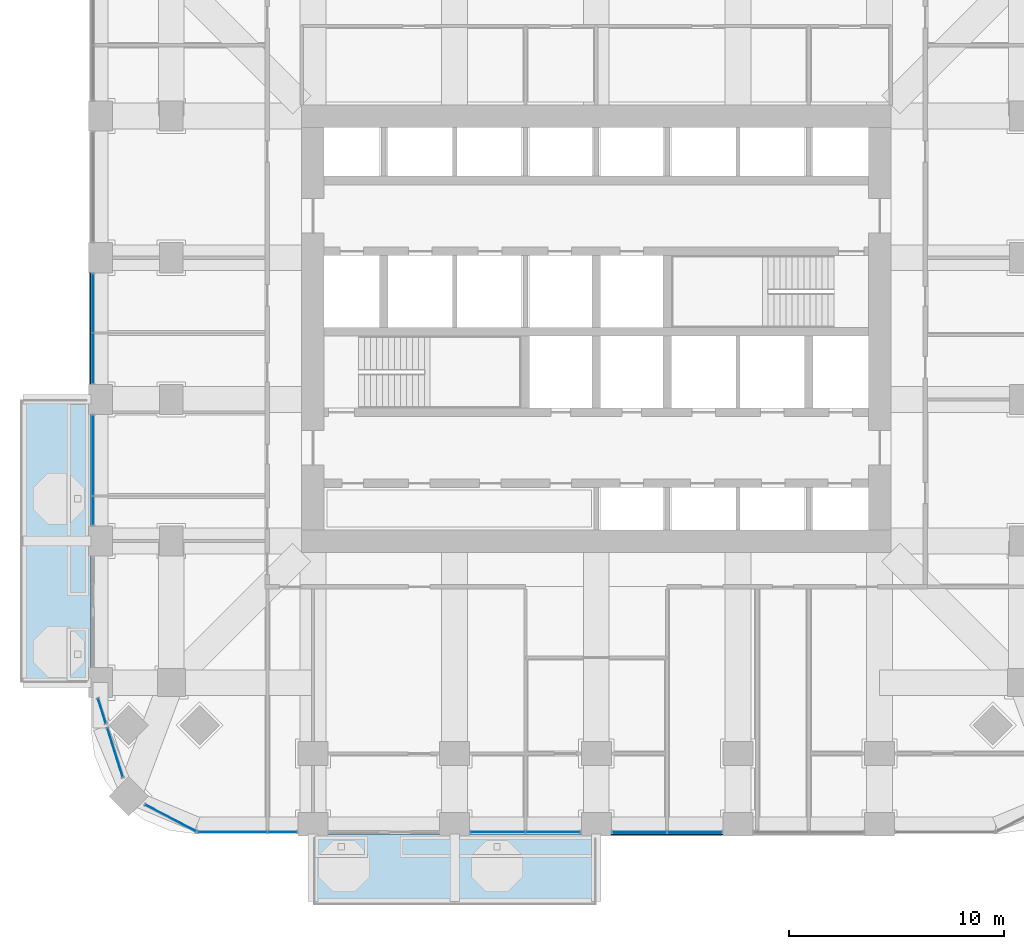
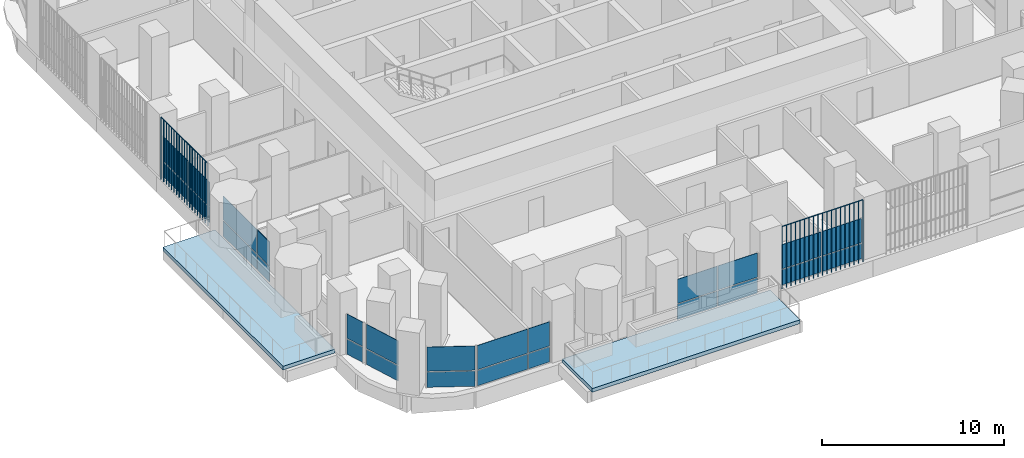
# One storey, part 8 of 21: 28 plates, 2 slabs, 8 elements without a shape of their own.
"""IFC4 building model written with IfcOpenShell, lengths in metres."""

from ifc_helpers import new_model, si_unit, direction, frame, origin, origin_2d, place, context, subcontext, project, spatial, polyline, rectangle, outline, extrude, material, layer, layer_set, type_object, element, aggregate, save


model = new_model("IFC4")

# Units and contexts
model_context = context("Model", 3, precision=1e-05, world=origin(), true_north=direction((0.0, 1.0)))
body_context = subcontext(model_context, "Body", "Model", "MODEL_VIEW")
ifc_project = project(units=[si_unit("LENGTHUNIT", "METRE"), si_unit("AREAUNIT", "SQUARE_METRE"), si_unit("VOLUMEUNIT", "CUBIC_METRE"), si_unit("PLANEANGLEUNIT", "RADIAN"), si_unit("MASSUNIT", "GRAM", prefix="KILO")], contexts=[model_context])

# Site, building, storey
site_placement = place(None, origin())
site = spatial("IfcSite", under=ifc_project, at=site_placement, CompositionType="ELEMENT")
building_placement = place(site_placement, origin())
building = spatial("IfcBuilding", under=site, at=building_placement, Name="Cobogo Forest Laboratory Tower", CompositionType="ELEMENT")
storey_placement = place(building_placement, frame((0.0, 0.0, 115.800048828125)))
storey = spatial("IfcBuildingStorey", under=building, at=storey_placement, Name="L26", CompositionType="ELEMENT", Elevation=115.800048828125)

# Slabs
ifc_material_1 = material(Name="Concrete HA-40 (C40/50)", Category="concrete")
ifc_layer_1 = layer(ifc_material_1, 0.25)
ifc_layer_set_1 = layer_set([ifc_layer_1], Name="Balcony slab 250")
slab_type = type_object("IfcSlabType", Name="Balcony slab 250", PredefinedType="FLOOR", material=ifc_layer_set_1)
slab_1_placement = place(storey_placement, frame((0.0, 0.0, -0.25)))
element("IfcSlab", 1, at=slab_1_placement, inside=storey, type_object=slab_type, Name="Balcony BAL-S1 L26", PredefinedType="FLOOR", context=body_context, shape_type="SweptSolid", body=[
    extrude(outline(polyline([(13.199951171875, -3.75), (26.39990234375, -3.75), (26.39990234375, -0.449951171875), (13.199951171875, -0.449951171875), (13.199951171875, -3.75)])), origin(), (0.0, 0.0, 1.0), 0.25),
])
slab_2_placement = place(storey_placement, frame((0.0, 0.0, -0.25)))
element("IfcSlab", 2, at=slab_2_placement, inside=storey, type_object=slab_type, Name="Balcony BAL-W1 L26", PredefinedType="FLOOR", context=body_context, shape_type="SweptSolid", body=[
    extrude(outline(polyline([(-0.449951171875, 6.60009765625), (2.85009765625, 6.60009765625), (2.85009765625, 19.800048828125), (-0.449951171875, 19.800048828125), (-0.449951171875, 6.60009765625)])), origin(), (0.0, 0.0, 1.0), 0.25),
])

# Curtain wall, plates
ifc_material_2 = material(Name="Aluminium curtain wall", Category="aluminium")
curtain_wall_type = type_object("IfcCurtainWallType", Name="CW-1 unitised curtain wall, clear glazing, laboratory floors zones A and B", PredefinedType="USERDEFINED", material=ifc_material_2)
curtain_wall_1_placement = place(storey_placement, origin())
curtain_wall_1 = element("IfcCurtainWall", 3, at=curtain_wall_1_placement, inside=storey, type_object=curtain_wall_type, Name="Curtain wall 01 L26", ObjectType="UNITISED CURTAIN WALL", PredefinedType="USERDEFINED")
ifc_material_3 = material(Name="Clear insulated glass", Category="glass")
ifc_layer_2 = layer(ifc_material_3, 0.028076171875)
ifc_layer_set_2 = layer_set([ifc_layer_2], Name="GP-1 clear insulated glass unit 28")
plate_type_1 = type_object("IfcPlateType", Name="GP-1 clear insulated glass unit 28", PredefinedType="CURTAIN_PANEL", material=ifc_layer_set_2)
plate_1_placement = place(storey_placement, frame((9.452392578125, -0.35009765625, 0.0), z_axis=(0.0, 0.0, 1.0), x_axis=(1.0, 0.0, 0.0)))
plate_1 = element("IfcPlate", 4, at=plate_1_placement, type_object=plate_type_1, Name="CW-1 panel 1.1", PredefinedType="CURTAIN_PANEL", context=body_context, shape_type="SweptSolid", body=[
    extrude(rectangle(XDim=3.18505859375, YDim=0.028076171875, at=origin_2d()), origin(), (0.0, 0.0, 1.0), 1.02001953125),
])
plate_2_placement = place(storey_placement, frame((9.452392578125, -0.35009765625, 1.079833984375), z_axis=(0.0, 0.0, 1.0), x_axis=(1.0, 0.0, 0.0)))
plate_2 = element("IfcPlate", 5, at=plate_2_placement, type_object=plate_type_1, Name="CW-1 panel 1.2", PredefinedType="CURTAIN_PANEL", context=body_context, shape_type="SweptSolid", body=[
    extrude(rectangle(XDim=3.18505859375, YDim=0.028076171875, at=origin_2d()), origin(), (0.0, 0.0, 1.0), 1.6201171875),
])
plate_3_placement = place(storey_placement, frame((11.7724609375, -0.35009765625, 0.0), z_axis=(0.0, 0.0, 1.0), x_axis=(1.0, 0.0, 0.0)))
plate_3 = element("IfcPlate", 6, at=plate_3_placement, type_object=plate_type_1, Name="CW-1 panel 2.1", PredefinedType="CURTAIN_PANEL", context=body_context, shape_type="SweptSolid", body=[
    extrude(rectangle(XDim=1.3349609375, YDim=0.028076171875, at=origin_2d()), origin(), (0.0, 0.0, 1.0), 1.02001953125),
])
plate_4_placement = place(storey_placement, frame((11.7724609375, -0.35009765625, 1.079833984375), z_axis=(0.0, 0.0, 1.0), x_axis=(1.0, 0.0, 0.0)))
plate_4 = element("IfcPlate", 7, at=plate_4_placement, type_object=plate_type_1, Name="CW-1 panel 2.2", PredefinedType="CURTAIN_PANEL", context=body_context, shape_type="SweptSolid", body=[
    extrude(rectangle(XDim=1.3349609375, YDim=0.028076171875, at=origin_2d()), origin(), (0.0, 0.0, 1.0), 1.6201171875),
])
aggregate(curtain_wall_1, [plate_1, plate_2, plate_3, plate_4])

curtain_wall_2_placement = place(storey_placement, origin())
curtain_wall_2 = element("IfcCurtainWall", 8, at=curtain_wall_2_placement, inside=storey, type_object=curtain_wall_type, Name="Curtain wall 03 L26", ObjectType="UNITISED CURTAIN WALL", PredefinedType="USERDEFINED")
plate_5_placement = place(storey_placement, frame((21.81494140625, -0.35009765625, 0.0), z_axis=(0.0, 0.0, 1.0), x_axis=(1.0, 0.0, 0.0)))
plate_5 = element("IfcPlate", 9, at=plate_5_placement, type_object=plate_type_1, Name="CW-1 panel 1.1", PredefinedType="CURTAIN_PANEL", context=body_context, shape_type="SweptSolid", body=[
    extrude(rectangle(XDim=2.510009765625, YDim=0.028076171875, at=origin_2d()), origin(), (0.0, 0.0, 1.0), 1.02001953125),
])
plate_6_placement = place(storey_placement, frame((21.81494140625, -0.35009765625, 1.079833984375), z_axis=(0.0, 0.0, 1.0), x_axis=(1.0, 0.0, 0.0)))
plate_6 = element("IfcPlate", 10, at=plate_6_placement, type_object=plate_type_1, Name="CW-1 panel 1.2", PredefinedType="CURTAIN_PANEL", context=body_context, shape_type="SweptSolid", body=[
    extrude(rectangle(XDim=2.510009765625, YDim=0.028076171875, at=origin_2d()), origin(), (0.0, 0.0, 1.0), 1.6201171875),
])
plate_7_placement = place(storey_placement, frame((24.385009765625, -0.35009765625, 0.0), z_axis=(0.0, 0.0, 1.0), x_axis=(1.0, 0.0, 0.0)))
plate_7 = element("IfcPlate", 11, at=plate_7_placement, type_object=plate_type_1, Name="CW-1 panel 2.1", PredefinedType="CURTAIN_PANEL", context=body_context, shape_type="SweptSolid", body=[
    extrude(rectangle(XDim=2.510009765625, YDim=0.028076171875, at=origin_2d()), origin(), (0.0, 0.0, 1.0), 1.02001953125),
])
plate_8_placement = place(storey_placement, frame((24.385009765625, -0.35009765625, 1.079833984375), z_axis=(0.0, 0.0, 1.0), x_axis=(1.0, 0.0, 0.0)))
plate_8 = element("IfcPlate", 12, at=plate_8_placement, type_object=plate_type_1, Name="CW-1 panel 2.2", PredefinedType="CURTAIN_PANEL", context=body_context, shape_type="SweptSolid", body=[
    extrude(rectangle(XDim=2.510009765625, YDim=0.028076171875, at=origin_2d()), origin(), (0.0, 0.0, 1.0), 1.6201171875),
])
aggregate(curtain_wall_2, [plate_5, plate_6, plate_7, plate_8])

curtain_wall_3_placement = place(storey_placement, origin())
curtain_wall_3 = element("IfcCurtainWall", 13, at=curtain_wall_3_placement, inside=storey, type_object=curtain_wall_type, Name="Curtain wall 04 L26", ObjectType="UNITISED CURTAIN WALL", PredefinedType="USERDEFINED")
plate_9_placement = place(storey_placement, frame((28.4150390625, -0.35009765625, 0.0), z_axis=(0.0, 0.0, 1.0), x_axis=(1.0, 0.0, 0.0)))
plate_9 = element("IfcPlate", 14, at=plate_9_placement, type_object=plate_type_1, Name="CW-1 panel 1.1", PredefinedType="CURTAIN_PANEL", context=body_context, shape_type="SweptSolid", body=[
    extrude(rectangle(XDim=2.510009765625, YDim=0.028076171875, at=origin_2d()), origin(), (0.0, 0.0, 1.0), 1.02001953125),
])
plate_10_placement = place(storey_placement, frame((28.4150390625, -0.35009765625, 1.079833984375), z_axis=(0.0, 0.0, 1.0), x_axis=(1.0, 0.0, 0.0)))
plate_10 = element("IfcPlate", 15, at=plate_10_placement, type_object=plate_type_1, Name="CW-1 panel 1.2", PredefinedType="CURTAIN_PANEL", context=body_context, shape_type="SweptSolid", body=[
    extrude(rectangle(XDim=2.510009765625, YDim=0.028076171875, at=origin_2d()), origin(), (0.0, 0.0, 1.0), 1.6201171875),
])
plate_11_placement = place(storey_placement, frame((30.985107421875, -0.35009765625, 0.0), z_axis=(0.0, 0.0, 1.0), x_axis=(1.0, 0.0, 0.0)))
plate_11 = element("IfcPlate", 16, at=plate_11_placement, type_object=plate_type_1, Name="CW-1 panel 2.1", PredefinedType="CURTAIN_PANEL", context=body_context, shape_type="SweptSolid", body=[
    extrude(rectangle(XDim=2.510009765625, YDim=0.028076171875, at=origin_2d()), origin(), (0.0, 0.0, 1.0), 1.02001953125),
])
plate_12_placement = place(storey_placement, frame((30.985107421875, -0.35009765625, 1.079833984375), z_axis=(0.0, 0.0, 1.0), x_axis=(1.0, 0.0, 0.0)))
plate_12 = element("IfcPlate", 17, at=plate_12_placement, type_object=plate_type_1, Name="CW-1 panel 2.2", PredefinedType="CURTAIN_PANEL", context=body_context, shape_type="SweptSolid", body=[
    extrude(rectangle(XDim=2.510009765625, YDim=0.028076171875, at=origin_2d()), origin(), (0.0, 0.0, 1.0), 1.6201171875),
])
aggregate(curtain_wall_3, [plate_9, plate_10, plate_11, plate_12])

curtain_wall_4_placement = place(storey_placement, origin())
curtain_wall_4 = element("IfcCurtainWall", 18, at=curtain_wall_4_placement, inside=storey, type_object=curtain_wall_type, Name="Curtain wall 29 L26", ObjectType="UNITISED CURTAIN WALL", PredefinedType="USERDEFINED")
plate_13_placement = place(storey_placement, frame((2.949951171875, 24.284912109375, 0.0), z_axis=(0.0, 0.0, 1.0), x_axis=(0.0, -1.0, 0.0)))
plate_13 = element("IfcPlate", 19, at=plate_13_placement, type_object=plate_type_1, Name="CW-1 panel 1.1", PredefinedType="CURTAIN_PANEL", context=body_context, shape_type="SweptSolid", body=[
    extrude(rectangle(XDim=2.7099609375, YDim=0.028076171875, at=origin_2d()), origin(), (0.0, 0.0, 1.0), 1.02001953125),
])
plate_14_placement = place(storey_placement, frame((2.949951171875, 24.284912109375, 1.079833984375), z_axis=(0.0, 0.0, 1.0), x_axis=(0.0, -1.0, 0.0)))
plate_14 = element("IfcPlate", 20, at=plate_14_placement, type_object=plate_type_1, Name="CW-1 panel 1.2", PredefinedType="CURTAIN_PANEL", context=body_context, shape_type="SweptSolid", body=[
    extrude(rectangle(XDim=2.7099609375, YDim=0.028076171875, at=origin_2d()), origin(), (0.0, 0.0, 1.0), 1.6201171875),
])
plate_15_placement = place(storey_placement, frame((2.949951171875, 21.715087890625, 0.0), z_axis=(0.0, 0.0, 1.0), x_axis=(0.0, -1.0, 0.0)))
plate_15 = element("IfcPlate", 21, at=plate_15_placement, type_object=plate_type_1, Name="CW-1 panel 2.1", PredefinedType="CURTAIN_PANEL", context=body_context, shape_type="SweptSolid", body=[
    extrude(rectangle(XDim=2.31005859375, YDim=0.028076171875, at=origin_2d()), origin(), (0.0, 0.0, 1.0), 1.02001953125),
])
plate_16_placement = place(storey_placement, frame((2.949951171875, 21.715087890625, 1.079833984375), z_axis=(0.0, 0.0, 1.0), x_axis=(0.0, -1.0, 0.0)))
plate_16 = element("IfcPlate", 22, at=plate_16_placement, type_object=plate_type_1, Name="CW-1 panel 2.2", PredefinedType="CURTAIN_PANEL", context=body_context, shape_type="SweptSolid", body=[
    extrude(rectangle(XDim=2.31005859375, YDim=0.028076171875, at=origin_2d()), origin(), (0.0, 0.0, 1.0), 1.6201171875),
])
aggregate(curtain_wall_4, [plate_13, plate_14, plate_15, plate_16])

curtain_wall_5_placement = place(storey_placement, origin())
curtain_wall_5 = element("IfcCurtainWall", 23, at=curtain_wall_5_placement, inside=storey, type_object=curtain_wall_type, Name="Curtain wall 30 L26", ObjectType="UNITISED CURTAIN WALL", PredefinedType="USERDEFINED")
plate_17_placement = place(storey_placement, frame((2.949951171875, 17.18505859375, 0.0), z_axis=(0.0, 0.0, 1.0), x_axis=(0.0, -1.0, 0.0)))
plate_17 = element("IfcPlate", 24, at=plate_17_placement, type_object=plate_type_1, Name="CW-1 panel 1.1", PredefinedType="CURTAIN_PANEL", context=body_context, shape_type="SweptSolid", body=[
    extrude(rectangle(XDim=3.7099609375, YDim=0.028076171875, at=origin_2d()), origin(), (0.0, 0.0, 1.0), 1.02001953125),
])
plate_18_placement = place(storey_placement, frame((2.949951171875, 17.18505859375, 1.079833984375), z_axis=(0.0, 0.0, 1.0), x_axis=(0.0, -1.0, 0.0)))
plate_18 = element("IfcPlate", 25, at=plate_18_placement, type_object=plate_type_1, Name="CW-1 panel 1.2", PredefinedType="CURTAIN_PANEL", context=body_context, shape_type="SweptSolid", body=[
    extrude(rectangle(XDim=3.7099609375, YDim=0.028076171875, at=origin_2d()), origin(), (0.0, 0.0, 1.0), 1.6201171875),
])
plate_19_placement = place(storey_placement, frame((2.949951171875, 14.614990234375, 0.0), z_axis=(0.0, 0.0, 1.0), x_axis=(0.0, -1.0, 0.0)))
plate_19 = element("IfcPlate", 26, at=plate_19_placement, type_object=plate_type_1, Name="CW-1 panel 2.1", PredefinedType="CURTAIN_PANEL", context=body_context, shape_type="SweptSolid", body=[
    extrude(rectangle(XDim=1.31005859375, YDim=0.028076171875, at=origin_2d()), origin(), (0.0, 0.0, 1.0), 1.02001953125),
])
plate_20_placement = place(storey_placement, frame((2.949951171875, 14.614990234375, 1.079833984375), z_axis=(0.0, 0.0, 1.0), x_axis=(0.0, -1.0, 0.0)))
plate_20 = element("IfcPlate", 27, at=plate_20_placement, type_object=plate_type_1, Name="CW-1 panel 2.2", PredefinedType="CURTAIN_PANEL", context=body_context, shape_type="SweptSolid", body=[
    extrude(rectangle(XDim=1.31005859375, YDim=0.028076171875, at=origin_2d()), origin(), (0.0, 0.0, 1.0), 1.6201171875),
])
aggregate(curtain_wall_5, [plate_17, plate_18, plate_19, plate_20])

curtain_wall_6_placement = place(storey_placement, origin())
curtain_wall_6 = element("IfcCurtainWall", 28, at=curtain_wall_6_placement, inside=storey, type_object=curtain_wall_type, Name="Curtain wall 32 L26", ObjectType="UNITISED CURTAIN WALL", PredefinedType="USERDEFINED")
plate_21_placement = place(storey_placement, frame((3.3662109375, 5.2822265625, 0.0), z_axis=(0.0, 0.0, 1.0), x_axis=(0.301135356805, -0.953581405483, 0.0)))
plate_21 = element("IfcPlate", 29, at=plate_21_placement, type_object=plate_type_1, Name="CW-1 panel 1.1", PredefinedType="CURTAIN_PANEL", context=body_context, shape_type="SweptSolid", body=[
    extrude(rectangle(XDim=1.17578125, YDim=0.028076171875, at=origin_2d()), origin(), (0.0, 0.0, 1.0), 1.02001953125),
])
plate_22_placement = place(storey_placement, frame((3.3662109375, 5.2822265625, 1.079833984375), z_axis=(0.0, 0.0, 1.0), x_axis=(0.301135356805, -0.953581405483, 0.0)))
plate_22 = element("IfcPlate", 30, at=plate_22_placement, type_object=plate_type_1, Name="CW-1 panel 1.2", PredefinedType="CURTAIN_PANEL", context=body_context, shape_type="SweptSolid", body=[
    extrude(rectangle(XDim=1.17578125, YDim=0.028076171875, at=origin_2d()), origin(), (0.0, 0.0, 1.0), 1.6201171875),
])
aggregate(curtain_wall_6, [plate_21, plate_22])

curtain_wall_7_placement = place(storey_placement, origin())
curtain_wall_7 = element("IfcCurtainWall", 31, at=curtain_wall_7_placement, inside=storey, type_object=curtain_wall_type, Name="Curtain wall 33 L26", ObjectType="UNITISED CURTAIN WALL", PredefinedType="USERDEFINED")
plate_23_placement = place(storey_placement, frame((3.978759765625, 3.342529296875, 0.0), z_axis=(0.0, 0.0, 1.0), x_axis=(0.301135291996, -0.953581425949, 0.0)))
plate_23 = element("IfcPlate", 32, at=plate_23_placement, type_object=plate_type_1, Name="CW-1 panel 1.1", PredefinedType="CURTAIN_PANEL", context=body_context, shape_type="SweptSolid", body=[
    extrude(rectangle(XDim=2.3681640625, YDim=0.028076171875, at=origin_2d()), origin(), (0.0, 0.0, 1.0), 1.02001953125),
])
plate_24_placement = place(storey_placement, frame((3.978759765625, 3.342529296875, 1.079833984375), z_axis=(0.0, 0.0, 1.0), x_axis=(0.301135291996, -0.953581425949, 0.0)))
plate_24 = element("IfcPlate", 33, at=plate_24_placement, type_object=plate_type_1, Name="CW-1 panel 1.2", PredefinedType="CURTAIN_PANEL", context=body_context, shape_type="SweptSolid", body=[
    extrude(rectangle(XDim=2.3681640625, YDim=0.028076171875, at=origin_2d()), origin(), (0.0, 0.0, 1.0), 1.6201171875),
])
aggregate(curtain_wall_7, [plate_23, plate_24])

curtain_wall_8_placement = place(storey_placement, origin())
curtain_wall_8 = element("IfcCurtainWall", 34, at=curtain_wall_8_placement, inside=storey, type_object=curtain_wall_type, Name="Curtain wall 34 L26", ObjectType="UNITISED CURTAIN WALL", PredefinedType="USERDEFINED")
plate_25_placement = place(storey_placement, frame((6.57080078125, 0.29443359375, 0.0), z_axis=(0.0, 0.0, 1.0), x_axis=(0.885686547075, -0.464283685186, 0.0)))
plate_25 = element("IfcPlate", 35, at=plate_25_placement, type_object=plate_type_1, Name="CW-1 panel 1.1", PredefinedType="CURTAIN_PANEL", context=body_context, shape_type="SweptSolid", body=[
    extrude(rectangle(XDim=2.655517578125, YDim=0.028076171875, at=origin_2d()), origin(), (0.0, 0.0, 1.0), 1.02001953125),
])
plate_26_placement = place(storey_placement, frame((6.57080078125, 0.29443359375, 1.079833984375), z_axis=(0.0, 0.0, 1.0), x_axis=(0.885686547075, -0.464283685186, 0.0)))
plate_26 = element("IfcPlate", 36, at=plate_26_placement, type_object=plate_type_1, Name="CW-1 panel 1.2", PredefinedType="CURTAIN_PANEL", context=body_context, shape_type="SweptSolid", body=[
    extrude(rectangle(XDim=2.655517578125, YDim=0.028076171875, at=origin_2d()), origin(), (0.0, 0.0, 1.0), 1.6201171875),
])
aggregate(curtain_wall_8, [plate_25, plate_26])

# Plates
ifc_material_4 = material(Name="Terracotta", Category="masonry")
plate_type_2 = type_object("IfcPlateType", Name="TB1 terracotta baguette screen", PredefinedType="USERDEFINED", material=ifc_material_4)
plate_27_placement = place(storey_placement, frame((27.13134765625, -0.477783203125, -0.150146484375)))
element("IfcPlate", 37, at=plate_27_placement, inside=storey, type_object=plate_type_2, Name="Baguette screen S3 L26", ObjectType="BAGUETTE SCREEN", PredefinedType="USERDEFINED", context=body_context, shape_type="SweptSolid", body=[
    extrude(outline(polyline([(0.02880859375, 0.011962890625), (0.011962890625, 0.02880859375), (-0.011962890625, 0.02880859375), (-0.02880859375, 0.011962890625), (-0.02880859375, -0.011962890625), (-0.011962890625, -0.02880859375), (0.011962890625, -0.02880859375), (0.02880859375, -0.011962890625), (0.02880859375, 0.011962890625)])), frame((0.0, 0.0, 4.168701171875), z_axis=(1.0, 0.0, 0.0), x_axis=(0.0, 1.0, 0.0)), (0.0, 0.0, 1.0), 5.137451171875),
    extrude(outline(polyline([(0.02880859375, 0.011962890625), (0.011962890625, 0.02880859375), (-0.011962890625, 0.02880859375), (-0.02880859375, 0.011962890625), (-0.02880859375, -0.011962890625), (-0.011962890625, -0.02880859375), (0.011962890625, -0.02880859375), (0.02880859375, -0.011962890625), (0.02880859375, 0.011962890625)])), origin(), (0.0, 0.0, 1.0), 4.137451171875),
    extrude(outline(polyline([(0.02880859375, 0.011962890625), (0.011962890625, 0.02880859375), (-0.011962890625, 0.02880859375), (-0.02880859375, 0.011962890625), (-0.02880859375, -0.011962890625), (-0.011962890625, -0.02880859375), (0.011962890625, -0.02880859375), (0.02880859375, -0.011962890625), (0.02880859375, 0.011962890625)])), frame((0.285400390625, 0.0, 0.0)), (0.0, 0.0, 1.0), 4.137451171875),
    extrude(outline(polyline([(0.02880859375, 0.011962890625), (0.011962890625, 0.02880859375), (-0.011962890625, 0.02880859375), (-0.02880859375, 0.011962890625), (-0.02880859375, -0.011962890625), (-0.011962890625, -0.02880859375), (0.011962890625, -0.02880859375), (0.02880859375, -0.011962890625), (0.02880859375, 0.011962890625)])), frame((0.57080078125, 0.0, 0.0)), (0.0, 0.0, 1.0), 4.137451171875),
    extrude(outline(polyline([(0.02880859375, 0.011962890625), (0.011962890625, 0.02880859375), (-0.011962890625, 0.02880859375), (-0.02880859375, 0.011962890625), (-0.02880859375, -0.011962890625), (-0.011962890625, -0.02880859375), (0.011962890625, -0.02880859375), (0.02880859375, -0.011962890625), (0.02880859375, 0.011962890625)])), frame((0.856201171875, 0.0, 0.0)), (0.0, 0.0, 1.0), 4.137451171875),
    extrude(outline(polyline([(0.02880859375, 0.011962890625), (0.011962890625, 0.02880859375), (-0.011962890625, 0.02880859375), (-0.02880859375, 0.011962890625), (-0.02880859375, -0.011962890625), (-0.011962890625, -0.02880859375), (0.011962890625, -0.02880859375), (0.02880859375, -0.011962890625), (0.02880859375, 0.011962890625)])), frame((1.1416015625, 0.0, 0.0)), (0.0, 0.0, 1.0), 4.137451171875),
    extrude(outline(polyline([(0.02880859375, 0.011962890625), (0.011962890625, 0.02880859375), (-0.011962890625, 0.02880859375), (-0.02880859375, 0.011962890625), (-0.02880859375, -0.011962890625), (-0.011962890625, -0.02880859375), (0.011962890625, -0.02880859375), (0.02880859375, -0.011962890625), (0.02880859375, 0.011962890625)])), frame((1.427001953125, 0.0, 0.0)), (0.0, 0.0, 1.0), 4.137451171875),
    extrude(outline(polyline([(0.02880859375, 0.011962890625), (0.011962890625, 0.02880859375), (-0.011962890625, 0.02880859375), (-0.02880859375, 0.011962890625), (-0.02880859375, -0.011962890625), (-0.011962890625, -0.02880859375), (0.011962890625, -0.02880859375), (0.02880859375, -0.011962890625), (0.02880859375, 0.011962890625)])), frame((1.71240234375, 0.0, 0.0)), (0.0, 0.0, 1.0), 4.137451171875),
    extrude(outline(polyline([(0.02880859375, 0.011962890625), (0.011962890625, 0.02880859375), (-0.011962890625, 0.02880859375), (-0.02880859375, 0.011962890625), (-0.02880859375, -0.011962890625), (-0.011962890625, -0.02880859375), (0.011962890625, -0.02880859375), (0.02880859375, -0.011962890625), (0.02880859375, 0.011962890625)])), frame((1.997802734375, 0.0, 0.0)), (0.0, 0.0, 1.0), 4.137451171875),
    extrude(outline(polyline([(0.02880859375, 0.011962890625), (0.011962890625, 0.02880859375), (-0.011962890625, 0.02880859375), (-0.02880859375, 0.011962890625), (-0.02880859375, -0.011962890625), (-0.011962890625, -0.02880859375), (0.011962890625, -0.02880859375), (0.02880859375, -0.011962890625), (0.02880859375, 0.011962890625)])), frame((2.283203125, 0.0, 0.0)), (0.0, 0.0, 1.0), 4.137451171875),
    extrude(outline(polyline([(0.02880859375, 0.011962890625), (0.011962890625, 0.02880859375), (-0.011962890625, 0.02880859375), (-0.02880859375, 0.011962890625), (-0.02880859375, -0.011962890625), (-0.011962890625, -0.02880859375), (0.011962890625, -0.02880859375), (0.02880859375, -0.011962890625), (0.02880859375, 0.011962890625)])), frame((2.56884765625, 0.0, 0.0)), (0.0, 0.0, 1.0), 4.137451171875),
    extrude(outline(polyline([(0.02880859375, 0.011962890625), (0.011962890625, 0.02880859375), (-0.011962890625, 0.02880859375), (-0.02880859375, 0.011962890625), (-0.02880859375, -0.011962890625), (-0.011962890625, -0.02880859375), (0.011962890625, -0.02880859375), (0.02880859375, -0.011962890625), (0.02880859375, 0.011962890625)])), frame((2.854248046875, 0.0, 0.0)), (0.0, 0.0, 1.0), 4.137451171875),
    extrude(outline(polyline([(0.02880859375, 0.011962890625), (0.011962890625, 0.02880859375), (-0.011962890625, 0.02880859375), (-0.02880859375, 0.011962890625), (-0.02880859375, -0.011962890625), (-0.011962890625, -0.02880859375), (0.011962890625, -0.02880859375), (0.02880859375, -0.011962890625), (0.02880859375, 0.011962890625)])), frame((3.1396484375, 0.0, 0.0)), (0.0, 0.0, 1.0), 4.137451171875),
    extrude(outline(polyline([(0.02880859375, 0.011962890625), (0.011962890625, 0.02880859375), (-0.011962890625, 0.02880859375), (-0.02880859375, 0.011962890625), (-0.02880859375, -0.011962890625), (-0.011962890625, -0.02880859375), (0.011962890625, -0.02880859375), (0.02880859375, -0.011962890625), (0.02880859375, 0.011962890625)])), frame((3.425048828125, 0.0, 0.0)), (0.0, 0.0, 1.0), 4.137451171875),
    extrude(outline(polyline([(0.02880859375, 0.011962890625), (0.011962890625, 0.02880859375), (-0.011962890625, 0.02880859375), (-0.02880859375, 0.011962890625), (-0.02880859375, -0.011962890625), (-0.011962890625, -0.02880859375), (0.011962890625, -0.02880859375), (0.02880859375, -0.011962890625), (0.02880859375, 0.011962890625)])), frame((3.71044921875, 0.0, 0.0)), (0.0, 0.0, 1.0), 4.137451171875),
    extrude(outline(polyline([(0.02880859375, 0.011962890625), (0.011962890625, 0.02880859375), (-0.011962890625, 0.02880859375), (-0.02880859375, 0.011962890625), (-0.02880859375, -0.011962890625), (-0.011962890625, -0.02880859375), (0.011962890625, -0.02880859375), (0.02880859375, -0.011962890625), (0.02880859375, 0.011962890625)])), frame((3.995849609375, 0.0, 0.0)), (0.0, 0.0, 1.0), 4.137451171875),
    extrude(outline(polyline([(0.02880859375, 0.011962890625), (0.011962890625, 0.02880859375), (-0.011962890625, 0.02880859375), (-0.02880859375, 0.011962890625), (-0.02880859375, -0.011962890625), (-0.011962890625, -0.02880859375), (0.011962890625, -0.02880859375), (0.02880859375, -0.011962890625), (0.02880859375, 0.011962890625)])), frame((4.28125, 0.0, 0.0)), (0.0, 0.0, 1.0), 4.137451171875),
    extrude(outline(polyline([(0.02880859375, 0.011962890625), (0.011962890625, 0.02880859375), (-0.011962890625, 0.02880859375), (-0.02880859375, 0.011962890625), (-0.02880859375, -0.011962890625), (-0.011962890625, -0.02880859375), (0.011962890625, -0.02880859375), (0.02880859375, -0.011962890625), (0.02880859375, 0.011962890625)])), frame((4.566650390625, 0.0, 0.0)), (0.0, 0.0, 1.0), 4.137451171875),
    extrude(outline(polyline([(0.02880859375, 0.011962890625), (0.011962890625, 0.02880859375), (-0.011962890625, 0.02880859375), (-0.02880859375, 0.011962890625), (-0.02880859375, -0.011962890625), (-0.011962890625, -0.02880859375), (0.011962890625, -0.02880859375), (0.02880859375, -0.011962890625), (0.02880859375, 0.011962890625)])), frame((4.85205078125, 0.0, 0.0)), (0.0, 0.0, 1.0), 4.137451171875),
    extrude(outline(polyline([(0.02880859375, 0.011962890625), (0.011962890625, 0.02880859375), (-0.011962890625, 0.02880859375), (-0.02880859375, 0.011962890625), (-0.02880859375, -0.011962890625), (-0.011962890625, -0.02880859375), (0.011962890625, -0.02880859375), (0.02880859375, -0.011962890625), (0.02880859375, 0.011962890625)])), frame((5.137451171875, 0.0, 0.0)), (0.0, 0.0, 1.0), 4.137451171875),
])
plate_28_placement = place(storey_placement, frame((2.822021484375, 20.53125, -0.150146484375)))
element("IfcPlate", 38, at=plate_28_placement, inside=storey, type_object=plate_type_2, Name="Baguette screen W3 L26", ObjectType="BAGUETTE SCREEN", PredefinedType="USERDEFINED", context=body_context, shape_type="SweptSolid", body=[
    extrude(outline(polyline([(0.02880859375, 0.011962890625), (0.011962890625, 0.02880859375), (-0.011962890625, 0.02880859375), (-0.02880859375, 0.011962890625), (-0.02880859375, -0.011962890625), (-0.011962890625, -0.02880859375), (0.011962890625, -0.02880859375), (0.02880859375, -0.011962890625), (0.02880859375, 0.011962890625)])), frame((0.0, 0.0, 4.168701171875), z_axis=(0.0, 1.0, 0.0), x_axis=(-1.0, 0.0, 0.0)), (0.0, 0.0, 1.0), 5.137451171875),
    extrude(outline(polyline([(0.02880859375, 0.011962890625), (0.011962890625, 0.02880859375), (-0.011962890625, 0.02880859375), (-0.02880859375, 0.011962890625), (-0.02880859375, -0.011962890625), (-0.011962890625, -0.02880859375), (0.011962890625, -0.02880859375), (0.02880859375, -0.011962890625), (0.02880859375, 0.011962890625)])), origin(), (0.0, 0.0, 1.0), 4.137451171875),
    extrude(outline(polyline([(0.02880859375, 0.011962890625), (0.011962890625, 0.02880859375), (-0.011962890625, 0.02880859375), (-0.02880859375, 0.011962890625), (-0.02880859375, -0.011962890625), (-0.011962890625, -0.02880859375), (0.011962890625, -0.02880859375), (0.02880859375, -0.011962890625), (0.02880859375, 0.011962890625)])), frame((0.0, 0.285400390625, 0.0)), (0.0, 0.0, 1.0), 4.137451171875),
    extrude(outline(polyline([(0.02880859375, 0.011962890625), (0.011962890625, 0.02880859375), (-0.011962890625, 0.02880859375), (-0.02880859375, 0.011962890625), (-0.02880859375, -0.011962890625), (-0.011962890625, -0.02880859375), (0.011962890625, -0.02880859375), (0.02880859375, -0.011962890625), (0.02880859375, 0.011962890625)])), frame((0.0, 0.57080078125, 0.0)), (0.0, 0.0, 1.0), 4.137451171875),
    extrude(outline(polyline([(0.02880859375, 0.011962890625), (0.011962890625, 0.02880859375), (-0.011962890625, 0.02880859375), (-0.02880859375, 0.011962890625), (-0.02880859375, -0.011962890625), (-0.011962890625, -0.02880859375), (0.011962890625, -0.02880859375), (0.02880859375, -0.011962890625), (0.02880859375, 0.011962890625)])), frame((0.0, 0.856201171875, 0.0)), (0.0, 0.0, 1.0), 4.137451171875),
    extrude(outline(polyline([(0.02880859375, 0.011962890625), (0.011962890625, 0.02880859375), (-0.011962890625, 0.02880859375), (-0.02880859375, 0.011962890625), (-0.02880859375, -0.011962890625), (-0.011962890625, -0.02880859375), (0.011962890625, -0.02880859375), (0.02880859375, -0.011962890625), (0.02880859375, 0.011962890625)])), frame((0.0, 1.1416015625, 0.0)), (0.0, 0.0, 1.0), 4.137451171875),
    extrude(outline(polyline([(0.02880859375, 0.011962890625), (0.011962890625, 0.02880859375), (-0.011962890625, 0.02880859375), (-0.02880859375, 0.011962890625), (-0.02880859375, -0.011962890625), (-0.011962890625, -0.02880859375), (0.011962890625, -0.02880859375), (0.02880859375, -0.011962890625), (0.02880859375, 0.011962890625)])), frame((0.0, 1.427001953125, 0.0)), (0.0, 0.0, 1.0), 4.137451171875),
    extrude(outline(polyline([(0.02880859375, 0.011962890625), (0.011962890625, 0.02880859375), (-0.011962890625, 0.02880859375), (-0.02880859375, 0.011962890625), (-0.02880859375, -0.011962890625), (-0.011962890625, -0.02880859375), (0.011962890625, -0.02880859375), (0.02880859375, -0.011962890625), (0.02880859375, 0.011962890625)])), frame((0.0, 1.71240234375, 0.0)), (0.0, 0.0, 1.0), 4.137451171875),
    extrude(outline(polyline([(0.02880859375, 0.011962890625), (0.011962890625, 0.02880859375), (-0.011962890625, 0.02880859375), (-0.02880859375, 0.011962890625), (-0.02880859375, -0.011962890625), (-0.011962890625, -0.02880859375), (0.011962890625, -0.02880859375), (0.02880859375, -0.011962890625), (0.02880859375, 0.011962890625)])), frame((0.0, 1.997802734375, 0.0)), (0.0, 0.0, 1.0), 4.137451171875),
    extrude(outline(polyline([(0.02880859375, 0.011962890625), (0.011962890625, 0.02880859375), (-0.011962890625, 0.02880859375), (-0.02880859375, 0.011962890625), (-0.02880859375, -0.011962890625), (-0.011962890625, -0.02880859375), (0.011962890625, -0.02880859375), (0.02880859375, -0.011962890625), (0.02880859375, 0.011962890625)])), frame((0.0, 2.283203125, 0.0)), (0.0, 0.0, 1.0), 4.137451171875),
    extrude(outline(polyline([(0.02880859375, 0.011962890625), (0.011962890625, 0.02880859375), (-0.011962890625, 0.02880859375), (-0.02880859375, 0.011962890625), (-0.02880859375, -0.011962890625), (-0.011962890625, -0.02880859375), (0.011962890625, -0.02880859375), (0.02880859375, -0.011962890625), (0.02880859375, 0.011962890625)])), frame((0.0, 2.56884765625, 0.0)), (0.0, 0.0, 1.0), 4.137451171875),
    extrude(outline(polyline([(0.02880859375, 0.011962890625), (0.011962890625, 0.02880859375), (-0.011962890625, 0.02880859375), (-0.02880859375, 0.011962890625), (-0.02880859375, -0.011962890625), (-0.011962890625, -0.02880859375), (0.011962890625, -0.02880859375), (0.02880859375, -0.011962890625), (0.02880859375, 0.011962890625)])), frame((0.0, 2.854248046875, 0.0)), (0.0, 0.0, 1.0), 4.137451171875),
    extrude(outline(polyline([(0.02880859375, 0.011962890625), (0.011962890625, 0.02880859375), (-0.011962890625, 0.02880859375), (-0.02880859375, 0.011962890625), (-0.02880859375, -0.011962890625), (-0.011962890625, -0.02880859375), (0.011962890625, -0.02880859375), (0.02880859375, -0.011962890625), (0.02880859375, 0.011962890625)])), frame((0.0, 3.1396484375, 0.0)), (0.0, 0.0, 1.0), 4.137451171875),
    extrude(outline(polyline([(0.02880859375, 0.011962890625), (0.011962890625, 0.02880859375), (-0.011962890625, 0.02880859375), (-0.02880859375, 0.011962890625), (-0.02880859375, -0.011962890625), (-0.011962890625, -0.02880859375), (0.011962890625, -0.02880859375), (0.02880859375, -0.011962890625), (0.02880859375, 0.011962890625)])), frame((0.0, 3.425048828125, 0.0)), (0.0, 0.0, 1.0), 4.137451171875),
    extrude(outline(polyline([(0.02880859375, 0.011962890625), (0.011962890625, 0.02880859375), (-0.011962890625, 0.02880859375), (-0.02880859375, 0.011962890625), (-0.02880859375, -0.011962890625), (-0.011962890625, -0.02880859375), (0.011962890625, -0.02880859375), (0.02880859375, -0.011962890625), (0.02880859375, 0.011962890625)])), frame((0.0, 3.71044921875, 0.0)), (0.0, 0.0, 1.0), 4.137451171875),
    extrude(outline(polyline([(0.02880859375, 0.011962890625), (0.011962890625, 0.02880859375), (-0.011962890625, 0.02880859375), (-0.02880859375, 0.011962890625), (-0.02880859375, -0.011962890625), (-0.011962890625, -0.02880859375), (0.011962890625, -0.02880859375), (0.02880859375, -0.011962890625), (0.02880859375, 0.011962890625)])), frame((0.0, 3.995849609375, 0.0)), (0.0, 0.0, 1.0), 4.137451171875),
    extrude(outline(polyline([(0.02880859375, 0.011962890625), (0.011962890625, 0.02880859375), (-0.011962890625, 0.02880859375), (-0.02880859375, 0.011962890625), (-0.02880859375, -0.011962890625), (-0.011962890625, -0.02880859375), (0.011962890625, -0.02880859375), (0.02880859375, -0.011962890625), (0.02880859375, 0.011962890625)])), frame((0.0, 4.28125, 0.0)), (0.0, 0.0, 1.0), 4.137451171875),
    extrude(outline(polyline([(0.02880859375, 0.011962890625), (0.011962890625, 0.02880859375), (-0.011962890625, 0.02880859375), (-0.02880859375, 0.011962890625), (-0.02880859375, -0.011962890625), (-0.011962890625, -0.02880859375), (0.011962890625, -0.02880859375), (0.02880859375, -0.011962890625), (0.02880859375, 0.011962890625)])), frame((0.0, 4.566650390625, 0.0)), (0.0, 0.0, 1.0), 4.137451171875),
    extrude(outline(polyline([(0.02880859375, 0.011962890625), (0.011962890625, 0.02880859375), (-0.011962890625, 0.02880859375), (-0.02880859375, 0.011962890625), (-0.02880859375, -0.011962890625), (-0.011962890625, -0.02880859375), (0.011962890625, -0.02880859375), (0.02880859375, -0.011962890625), (0.02880859375, 0.011962890625)])), frame((0.0, 4.85205078125, 0.0)), (0.0, 0.0, 1.0), 4.137451171875),
    extrude(outline(polyline([(0.02880859375, 0.011962890625), (0.011962890625, 0.02880859375), (-0.011962890625, 0.02880859375), (-0.02880859375, 0.011962890625), (-0.02880859375, -0.011962890625), (-0.011962890625, -0.02880859375), (0.011962890625, -0.02880859375), (0.02880859375, -0.011962890625), (0.02880859375, 0.011962890625)])), frame((0.0, 5.137451171875, 0.0)), (0.0, 0.0, 1.0), 4.137451171875),
])

save(model, "model.ifc")
